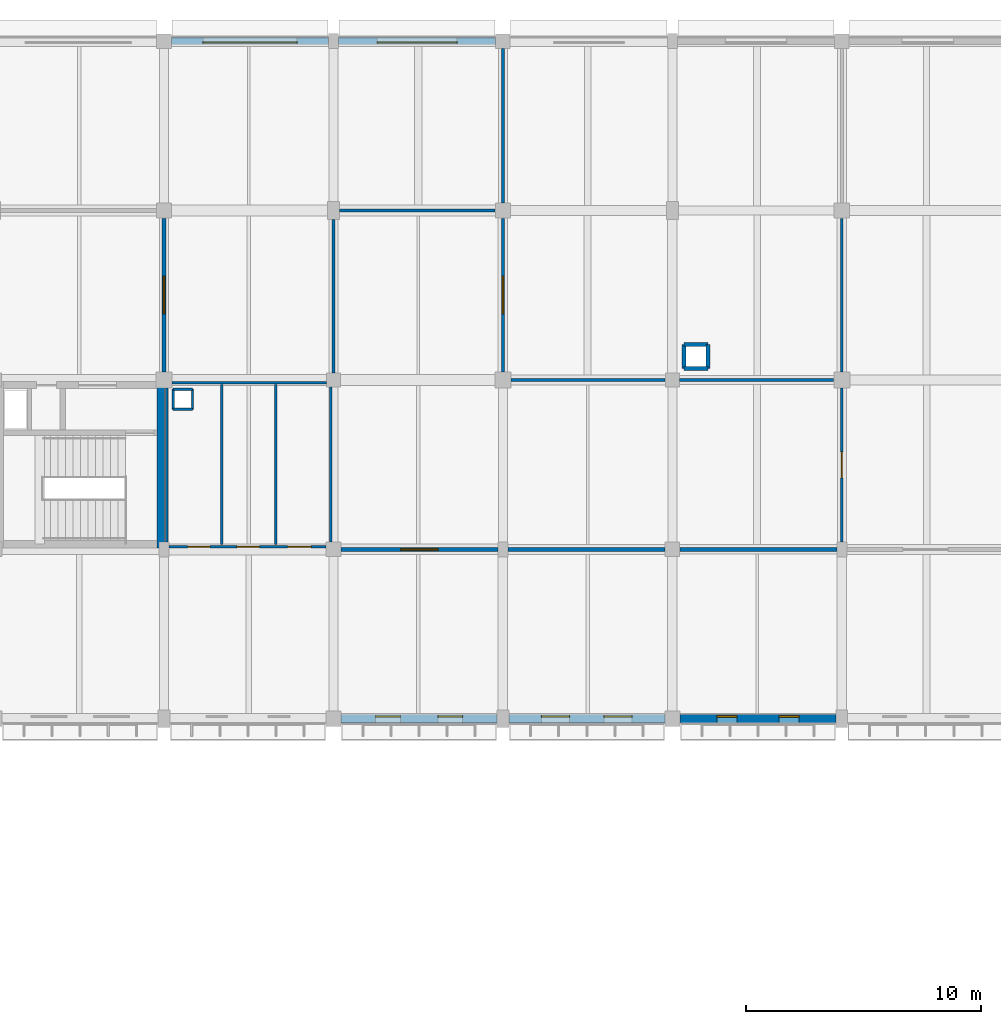
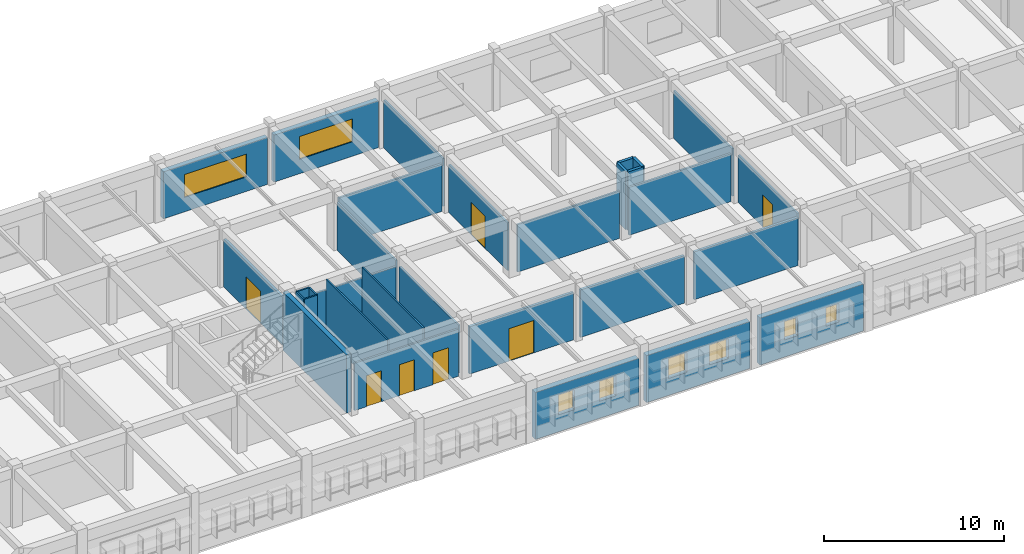
# One storey, part 89 of 103: 32 walls, 8 windows, 7 doors, 15 openings.
"""IFC4 building model written with IfcOpenShell, lengths in metres."""

from ifc_helpers import new_model, si_unit, direction, frame, frame_2d, origin, place, context, subcontext, project, spatial, rectangle, extrude, material, layer, layer_set, type_object, element, fill, save


model = new_model("IFC4")

# Units and contexts
model_context = context("Model", 3, precision=1e-05, world=origin(), true_north=direction((0.0, 1.0)))
body_context = subcontext(model_context, "Body", "Model", "MODEL_VIEW")
ifc_project = project(units=[si_unit("LENGTHUNIT", "METRE"), si_unit("AREAUNIT", "SQUARE_METRE"), si_unit("VOLUMEUNIT", "CUBIC_METRE"), si_unit("PLANEANGLEUNIT", "RADIAN"), si_unit("MASSUNIT", "GRAM", prefix="KILO")], contexts=[model_context])

# Site, building, storey
site_placement = place(None, origin())
site = spatial("IfcSite", under=ifc_project, at=site_placement, CompositionType="ELEMENT")
building_placement = place(site_placement, origin())
building = spatial("IfcBuilding", under=site, at=building_placement, Name="Thalmaran Polytechnic", CompositionType="ELEMENT")
storey_placement = place(building_placement, frame((0.0, 0.0, 14.39990234375)))
storey = spatial("IfcBuildingStorey", under=building, at=storey_placement, Name="L03", CompositionType="ELEMENT", Elevation=14.39990234375)

# Wall, openings, windows
ifc_material_1 = material(Name="Precast concrete C40/50", Category="concrete")
ifc_layer_1 = layer(ifc_material_1, 0.360107421875, Name="Precast concrete C40/50")
ifc_layer_set_1 = layer_set([ifc_layer_1], Name="Precast concrete C40/50")
wall_type_1 = type_object("IfcWallType", Name="WL-EW01", PredefinedType="STANDARD", material=ifc_layer_set_1)
wall_1_placement = place(storey_placement, frame((93.35009765625, 93.60009765625, 0.0), z_axis=(0.0, 0.0, 1.0), x_axis=(-1.0, 0.0, 0.0)))
wall_1 = element("IfcWall", 1, at=wall_1_placement, inside=storey, type_object=wall_type_1, Name="Exterior Precast Facade Wall L03-079", PredefinedType="STANDARD", context=body_context, shape_type="SweptSolid", body=[
    extrude(rectangle(XDim=6.625, YDim=0.360107421875, at=frame_2d((3.3125, 0.0))), origin(), (0.0, 0.0, 1.0), 3.18505859375),
])
opening_1_placement = place(wall_1_placement, frame((1.5625, 0.0, 1.14990234375)))
opening_1 = element("IfcOpeningElement", 2, at=opening_1_placement, cuts=wall_1, Name="Opening VW14", PredefinedType="OPENING", context=body_context, shape_type="SweptSolid", body=[
    extrude(rectangle(XDim=0.85009765625, YDim=1.25, at=frame_2d((0.425048828125, 0.625))), frame((0.0, 0.18994140625, 0.0), z_axis=(0.0, -1.0, 0.0), x_axis=(1.0, 0.0, 0.0)), (0.0, 0.0, 1.0), 0.380126953125),
])
opening_2_placement = place(wall_1_placement, frame((4.21240234375, 0.0, 1.14990234375)))
opening_2 = element("IfcOpeningElement", 3, at=opening_2_placement, cuts=wall_1, Name="Opening VW14", PredefinedType="OPENING", context=body_context, shape_type="SweptSolid", body=[
    extrude(rectangle(XDim=0.85009765625, YDim=1.25, at=frame_2d((0.425048828125, 0.625))), frame((0.0, 0.18994140625, 0.0), z_axis=(0.0, -1.0, 0.0), x_axis=(1.0, 0.0, 0.0)), (0.0, 0.0, 1.0), 0.380126953125),
])
ifc_material_2 = material(Name="Thermally broken aluminium and double low-E glass", Category="aluminium")
window_type_1 = type_object("IfcWindowType", Name="WN-VZ14", PartitioningType="SINGLE_PANEL", PredefinedType="WINDOW", material=ifc_material_2)
window_1_placement = place(opening_1_placement, origin())
window_1 = element("IfcWindow", 4, at=window_1_placement, inside=storey, type_object=window_type_1, Name="Deep-Set Solar-Screened Window W-0487", OverallHeight=1.25, OverallWidth=0.85009765625, PartitioningType="SINGLE_PANEL", PredefinedType="WINDOW", context=body_context, shape_type="SweptSolid", body=[
    extrude(rectangle(XDim=0.85009765625, YDim=1.25, at=frame_2d((0.425048828125, 0.625))), frame((0.0, -0.080078125, 0.0), z_axis=(0.0, -1.0, 0.0), x_axis=(1.0, 0.0, 0.0)), (0.0, 0.0, 1.0), 0.06005859375),
])
fill(opening_1, window_1)
window_2_placement = place(opening_2_placement, origin())
window_2 = element("IfcWindow", 5, at=window_2_placement, inside=storey, type_object=window_type_1, Name="Deep-Set Solar-Screened Window W-0488", OverallHeight=1.25, OverallWidth=0.85009765625, PartitioningType="SINGLE_PANEL", PredefinedType="WINDOW", context=body_context, shape_type="SweptSolid", body=[
    extrude(rectangle(XDim=0.85009765625, YDim=1.25, at=frame_2d((0.425048828125, 0.625))), frame((0.0, -0.080078125, 0.0), z_axis=(0.0, -1.0, 0.0), x_axis=(1.0, 0.0, 0.0)), (0.0, 0.0, 1.0), 0.06005859375),
])
fill(opening_2, window_2)

wall_2_placement = place(storey_placement, frame((86.074951171875, 93.60009765625, 0.0), z_axis=(0.0, 0.0, 1.0), x_axis=(-1.0, 0.0, 0.0)))
wall_2 = element("IfcWall", 6, at=wall_2_placement, inside=storey, type_object=wall_type_1, Name="Exterior Precast Facade Wall L03-080", PredefinedType="STANDARD", context=body_context, shape_type="SweptSolid", body=[
    extrude(rectangle(XDim=6.625, YDim=0.360107421875, at=frame_2d((3.3125, 0.0))), origin(), (0.0, 0.0, 1.0), 3.18505859375),
])
opening_3_placement = place(wall_2_placement, frame((1.387451171875, 0.0, 1.14990234375)))
opening_3 = element("IfcOpeningElement", 7, at=opening_3_placement, cuts=wall_2, Name="Opening PW11", PredefinedType="OPENING", context=body_context, shape_type="SweptSolid", body=[
    extrude(rectangle(XDim=1.199951171875, YDim=1.35009765625, at=frame_2d((0.60009765625, 0.675048828125))), frame((0.0, 0.18994140625, 0.0), z_axis=(0.0, -1.0, 0.0), x_axis=(1.0, 0.0, 0.0)), (0.0, 0.0, 1.0), 0.380126953125),
])
opening_4_placement = place(wall_2_placement, frame((4.03759765625, 0.0, 1.14990234375)))
opening_4 = element("IfcOpeningElement", 8, at=opening_4_placement, cuts=wall_2, Name="Opening PW11", PredefinedType="OPENING", context=body_context, shape_type="SweptSolid", body=[
    extrude(rectangle(XDim=1.199951171875, YDim=1.35009765625, at=frame_2d((0.60009765625, 0.675048828125))), frame((0.0, 0.18994140625, 0.0), z_axis=(0.0, -1.0, 0.0), x_axis=(1.0, 0.0, 0.0)), (0.0, 0.0, 1.0), 0.380126953125),
])
window_type_2 = type_object("IfcWindowType", Name="WN-PW01", PartitioningType="SINGLE_PANEL", PredefinedType="WINDOW", material=ifc_material_2)
window_3_placement = place(opening_3_placement, origin())
window_3 = element("IfcWindow", 9, at=window_3_placement, inside=storey, type_object=window_type_2, Name="Deep-Set Solar-Screened Window W-0489", OverallHeight=1.35009765625, OverallWidth=1.199951171875, PartitioningType="SINGLE_PANEL", PredefinedType="WINDOW", context=body_context, shape_type="SweptSolid", body=[
    extrude(rectangle(XDim=1.199951171875, YDim=1.35009765625, at=frame_2d((0.60009765625, 0.675048828125))), frame((0.0, -0.080078125, 0.0), z_axis=(0.0, -1.0, 0.0), x_axis=(1.0, 0.0, 0.0)), (0.0, 0.0, 1.0), 0.06005859375),
])
fill(opening_3, window_3)
window_4_placement = place(opening_4_placement, origin())
window_4 = element("IfcWindow", 10, at=window_4_placement, inside=storey, type_object=window_type_2, Name="Deep-Set Solar-Screened Window W-0490", OverallHeight=1.35009765625, OverallWidth=1.199951171875, PartitioningType="SINGLE_PANEL", PredefinedType="WINDOW", context=body_context, shape_type="SweptSolid", body=[
    extrude(rectangle(XDim=1.199951171875, YDim=1.35009765625, at=frame_2d((0.60009765625, 0.675048828125))), frame((0.0, -0.080078125, 0.0), z_axis=(0.0, -1.0, 0.0), x_axis=(1.0, 0.0, 0.0)), (0.0, 0.0, 1.0), 0.06005859375),
])
fill(opening_4, window_4)

wall_3_placement = place(storey_placement, frame((78.949951171875, 93.60009765625, 0.0), z_axis=(0.0, 0.0, 1.0), x_axis=(-1.0, 0.0, 0.0)))
wall_3 = element("IfcWall", 11, at=wall_3_placement, inside=storey, type_object=wall_type_1, Name="Exterior Precast Facade Wall L03-081", PredefinedType="STANDARD", context=body_context, shape_type="SweptSolid", body=[
    extrude(rectangle(XDim=6.625, YDim=0.360107421875, at=frame_2d((3.3125, 0.0))), origin(), (0.0, 0.0, 1.0), 3.18505859375),
])
opening_5_placement = place(wall_3_placement, frame((1.46240234375, 0.0, 1.14990234375)))
opening_5 = element("IfcOpeningElement", 12, at=opening_5_placement, cuts=wall_3, Name="Opening PW12", PredefinedType="OPENING", context=body_context, shape_type="SweptSolid", body=[
    extrude(rectangle(XDim=1.050048828125, YDim=1.35009765625, at=frame_2d((0.52490234375, 0.675048828125))), frame((0.0, 0.18994140625, 0.0), z_axis=(0.0, -1.0, 0.0), x_axis=(1.0, 0.0, 0.0)), (0.0, 0.0, 1.0), 0.380126953125),
])
opening_6_placement = place(wall_3_placement, frame((4.112548828125, 0.0, 1.14990234375)))
opening_6 = element("IfcOpeningElement", 13, at=opening_6_placement, cuts=wall_3, Name="Opening PW12", PredefinedType="OPENING", context=body_context, shape_type="SweptSolid", body=[
    extrude(rectangle(XDim=1.050048828125, YDim=1.35009765625, at=frame_2d((0.52490234375, 0.675048828125))), frame((0.0, 0.18994140625, 0.0), z_axis=(0.0, -1.0, 0.0), x_axis=(1.0, 0.0, 0.0)), (0.0, 0.0, 1.0), 0.380126953125),
])
window_type_3 = type_object("IfcWindowType", Name="WN-PW02", PartitioningType="SINGLE_PANEL", PredefinedType="WINDOW", material=ifc_material_2)
window_5_placement = place(opening_5_placement, origin())
window_5 = element("IfcWindow", 14, at=window_5_placement, inside=storey, type_object=window_type_3, Name="Deep-Set Solar-Screened Window W-0491", OverallHeight=1.35009765625, OverallWidth=1.050048828125, PartitioningType="SINGLE_PANEL", PredefinedType="WINDOW", context=body_context, shape_type="SweptSolid", body=[
    extrude(rectangle(XDim=1.050048828125, YDim=1.35009765625, at=frame_2d((0.52490234375, 0.675048828125))), frame((0.0, -0.080078125, 0.0), z_axis=(0.0, -1.0, 0.0), x_axis=(1.0, 0.0, 0.0)), (0.0, 0.0, 1.0), 0.06005859375),
])
fill(opening_5, window_5)
window_6_placement = place(opening_6_placement, origin())
window_6 = element("IfcWindow", 15, at=window_6_placement, inside=storey, type_object=window_type_3, Name="Deep-Set Solar-Screened Window W-0492", OverallHeight=1.35009765625, OverallWidth=1.050048828125, PartitioningType="SINGLE_PANEL", PredefinedType="WINDOW", context=body_context, shape_type="SweptSolid", body=[
    extrude(rectangle(XDim=1.050048828125, YDim=1.35009765625, at=frame_2d((0.52490234375, 0.675048828125))), frame((0.0, -0.080078125, 0.0), z_axis=(0.0, -1.0, 0.0), x_axis=(1.0, 0.0, 0.0)), (0.0, 0.0, 1.0), 0.06005859375),
])
fill(opening_6, window_6)

# Wall, opening, window
ifc_layer_2 = layer(ifc_material_1, 0.31005859375, Name="Precast concrete C40/50")
ifc_layer_set_2 = layer_set([ifc_layer_2], Name="Precast concrete C40/50")
wall_type_2 = type_object("IfcWallType", Name="WL-EW03", PredefinedType="STANDARD", material=ifc_layer_set_2)
wall_4_placement = place(storey_placement, frame((65.110107421875, 122.39990234375, 0.0), z_axis=(0.0, 0.0, 1.0), x_axis=(1.0, 0.0, 0.0)))
wall_4 = element("IfcWall", 16, at=wall_4_placement, inside=storey, type_object=wall_type_2, Name="Exterior Precast Facade Wall L03-065", PredefinedType="STANDARD", context=body_context, shape_type="SweptSolid", body=[
    extrude(rectangle(XDim=6.679931640625, YDim=0.31005859375, at=frame_2d((3.33984375, 0.0))), origin(), (0.0, 0.0, 1.0), 3.18505859375),
])
opening_7_placement = place(wall_4_placement, frame((1.340087890625, 0.0, 0.97998046875)))
opening_7 = element("IfcOpeningElement", 17, at=opening_7_placement, cuts=wall_4, Name="Opening VW02", PredefinedType="OPENING", context=body_context, shape_type="SweptSolid", body=[
    extrude(rectangle(XDim=4.0, YDim=1.550048828125, at=frame_2d((2.0, 0.77490234375))), frame((0.0, 0.1650390625, 0.0), z_axis=(0.0, -1.0, 0.0), x_axis=(1.0, 0.0, 0.0)), (0.0, 0.0, 1.0), 0.330078125),
])
window_type_4 = type_object("IfcWindowType", Name="WN-VZ02", PartitioningType="TRIPLE_PANEL_HORIZONTAL", PredefinedType="WINDOW", material=ifc_material_2)
window_7_placement = place(opening_7_placement, origin())
window_7 = element("IfcWindow", 18, at=window_7_placement, inside=storey, type_object=window_type_4, Name="Streamline Ribbon Window W-0470", OverallHeight=1.550048828125, OverallWidth=4.0, PartitioningType="SINGLE_PANEL", PredefinedType="WINDOW", context=body_context, shape_type="SweptSolid", body=[
    extrude(rectangle(XDim=4.0, YDim=1.550048828125, at=frame_2d((2.0, 0.77490234375))), frame((0.0, -0.030029296875, 0.0), z_axis=(0.0, -1.0, 0.0), x_axis=(1.0, 0.0, 0.0)), (0.0, 0.0, 1.0), 0.06005859375),
])
fill(opening_7, window_7)

wall_5_placement = place(storey_placement, frame((72.2099609375, 122.39990234375, 0.0), z_axis=(0.0, 0.0, 1.0), x_axis=(1.0, 0.0, 0.0)))
wall_5 = element("IfcWall", 19, at=wall_5_placement, inside=storey, type_object=wall_type_2, Name="Exterior Precast Facade Wall L03-066", PredefinedType="STANDARD", context=body_context, shape_type="SweptSolid", body=[
    extrude(rectangle(XDim=6.679931640625, YDim=0.31005859375, at=frame_2d((3.33984375, 0.0))), origin(), (0.0, 0.0, 1.0), 3.18505859375),
])
opening_8_placement = place(wall_5_placement, frame((1.639892578125, 0.0, 0.97998046875)))
opening_8 = element("IfcOpeningElement", 20, at=opening_8_placement, cuts=wall_5, Name="Opening VW03", PredefinedType="OPENING", context=body_context, shape_type="SweptSolid", body=[
    extrude(rectangle(XDim=3.39990234375, YDim=1.550048828125, at=frame_2d((1.699951171875, 0.77490234375))), frame((0.0, 0.1650390625, 0.0), z_axis=(0.0, -1.0, 0.0), x_axis=(1.0, 0.0, 0.0)), (0.0, 0.0, 1.0), 0.330078125),
])
window_type_5 = type_object("IfcWindowType", Name="WN-VZ03", PartitioningType="DOUBLE_PANEL_VERTICAL", PredefinedType="WINDOW", material=ifc_material_2)
window_8_placement = place(opening_8_placement, origin())
window_8 = element("IfcWindow", 21, at=window_8_placement, inside=storey, type_object=window_type_5, Name="Streamline Ribbon Window W-0471", OverallHeight=1.550048828125, OverallWidth=3.39990234375, PartitioningType="SINGLE_PANEL", PredefinedType="WINDOW", context=body_context, shape_type="SweptSolid", body=[
    extrude(rectangle(XDim=3.39990234375, YDim=1.550048828125, at=frame_2d((1.699951171875, 0.77490234375))), frame((0.0, -0.030029296875, 0.0), z_axis=(0.0, -1.0, 0.0), x_axis=(1.0, 0.0, 0.0)), (0.0, 0.0, 1.0), 0.06005859375),
])
fill(opening_8, window_8)

# Walls
ifc_material_3 = material(Name="Autoclaved aerated masonry", Category="masonry")
ifc_layer_3 = layer(ifc_material_3, 0.179931640625, Name="Autoclaved aerated masonry")
ifc_layer_set_3 = layer_set([ifc_layer_3], Name="Autoclaved aerated masonry")
wall_type_3 = type_object("IfcWallType", Name="WL-IW04", PredefinedType="PARTITIONING", material=ifc_layer_set_3)
for number, where, z_axis, x_axis, name in (
    (22, (86.889892578125, 108.489990234375, 0.0), (0.0, 0.0, 1.0), (1.0, 0.0, 0.0), "Fume Exhaust Riser Shaft Wall L03 (12,15)-S"),
    (23, (87.909912109375, 108.489990234375, 0.0), (0.0, 0.0, 1.0), (0.0, 1.0, 0.0), "Fume Exhaust Riser Shaft Wall L03 (12,15)-E"),
    (24, (87.909912109375, 109.510009765625, 0.0), (0.0, 0.0, 1.0), (-1.0, 0.0, 0.0), "Fume Exhaust Riser Shaft Wall L03 (12,15)-N"),
    (25, (86.889892578125, 109.510009765625, 0.0), (0.0, 0.0, 1.0), (0.0, -1.0, 0.0), "Fume Exhaust Riser Shaft Wall L03 (12,15)-W"),
):
    element("IfcWall", number, at=place(storey_placement, frame(where, z_axis=z_axis, x_axis=x_axis)), inside=storey, type_object=wall_type_3, Name=name, PredefinedType="PARTITIONING", context=body_context, shape_type="SweptSolid", body=[
        extrude(rectangle(XDim=1.02001953125, YDim=0.179931640625, at=frame_2d((0.510009765625, 0.0))), origin(), (0.0, 0.0, 1.0), 3.940185546875),
    ])

# Wall, opening, door
ifc_material_4 = material(Name="Gypsum acoustic partition")
ifc_layer_4 = layer(ifc_material_4, 0.159912109375, Name="Gypsum acoustic partition")
ifc_layer_set_4 = layer_set([ifc_layer_4], Name="Gypsum acoustic partition")
wall_type_4 = type_object("IfcWallType", Name="WL-IW05", PredefinedType="PARTITIONING", material=ifc_layer_set_4)
wall_6_placement = place(storey_placement, frame((64.800048828125, 108.344970703125, 0.0), z_axis=(0.0, 0.0, 1.0), x_axis=(0.0, 1.0, 0.0)))
wall_6 = element("IfcWall", 26, at=wall_6_placement, inside=storey, type_object=wall_type_4, Name="Interior Partition IW05 L03-045", PredefinedType="PARTITIONING", context=body_context, shape_type="SweptSolid", body=[
    extrude(rectangle(XDim=6.525146484375, YDim=0.159912109375, at=frame_2d((3.2626953125, 0.0))), origin(), (0.0, 0.0, 1.0), 3.2451171875),
])
opening_9_placement = place(wall_6_placement, frame((2.46240234375, 0.0, 0.0)))
opening_9 = element("IfcOpeningElement", 27, at=opening_9_placement, cuts=wall_6, Name="Opening D-L03-018-2-08-1", PredefinedType="OPENING", context=body_context, shape_type="SweptSolid", body=[
    extrude(rectangle(XDim=1.60009765625, YDim=2.199951171875, at=frame_2d((0.800048828125, 1.10009765625))), frame((0.0, 0.08984375, 0.0), z_axis=(0.0, -1.0, 0.0), x_axis=(1.0, 0.0, 0.0)), (0.0, 0.0, 1.0), 0.179931640625),
])
ifc_material_5 = material(Name="Powder-coated fire-rated steel", Category="steel")
door_type_1 = type_object("IfcDoorType", Name="DR-FD05", OperationType="NOTDEFINED", PredefinedType="DOOR", material=ifc_material_5)
door_1_placement = place(opening_9_placement, origin())
door_1 = element("IfcDoor", 28, at=door_1_placement, inside=storey, type_object=door_type_1, Name="Technical Reference Library Reading Room L03-08 Door 1", OperationType="DOUBLE_DOOR_SINGLE_SWING", OverallHeight=2.199951171875, OverallWidth=1.60009765625, PredefinedType="DOOR", context=body_context, shape_type="SweptSolid", body=[
    extrude(rectangle(XDim=1.60009765625, YDim=2.199951171875, at=frame_2d((0.800048828125, 1.10009765625))), frame((0.0, 0.02490234375, 0.0), z_axis=(0.0, -1.0, 0.0), x_axis=(1.0, 0.0, 0.0)), (0.0, 0.0, 1.0), 0.050048828125),
])
fill(opening_9, door_1)

wall_7_placement = place(storey_placement, frame((72.31494140625, 100.800048828125, 0.0), z_axis=(0.0, 0.0, 1.0), x_axis=(1.0, 0.0, 0.0)))
wall_7 = element("IfcWall", 29, at=wall_7_placement, inside=storey, type_object=wall_type_4, Name="Interior Partition IW05 L03-048", PredefinedType="PARTITIONING", context=body_context, shape_type="SweptSolid", body=[
    extrude(rectangle(XDim=6.670166015625, YDim=0.159912109375, at=frame_2d((3.3349609375, 0.0))), origin(), (0.0, 0.0, 1.0), 3.215087890625),
])
opening_10_placement = place(wall_7_placement, frame((2.534912109375, 0.0, 0.0)))
opening_10 = element("IfcOpeningElement", 30, at=opening_10_placement, cuts=wall_7, Name="Opening D-L03-013-2-04-1", PredefinedType="OPENING", context=body_context, shape_type="SweptSolid", body=[
    extrude(rectangle(XDim=1.60009765625, YDim=2.199951171875, at=frame_2d((0.800048828125, 1.10009765625))), frame((0.0, 0.08984375, 0.0), z_axis=(0.0, -1.0, 0.0), x_axis=(1.0, 0.0, 0.0)), (0.0, 0.0, 1.0), 0.179931640625),
])
door_2_placement = place(opening_10_placement, origin())
door_2 = element("IfcDoor", 31, at=door_2_placement, inside=storey, type_object=door_type_1, Name="Library Book Stacks L03-04 Door 1", OperationType="DOUBLE_DOOR_SINGLE_SWING", OverallHeight=2.199951171875, OverallWidth=1.60009765625, PredefinedType="DOOR", context=body_context, shape_type="SweptSolid", body=[
    extrude(rectangle(XDim=1.60009765625, YDim=2.199951171875, at=frame_2d((0.800048828125, 1.10009765625))), frame((0.0, 0.02490234375, 0.0), z_axis=(0.0, -1.0, 0.0), x_axis=(1.0, 0.0, 0.0)), (0.0, 0.0, 1.0), 0.050048828125),
])
fill(opening_10, door_2)

# Walls
wall_8_placement = place(storey_placement, frame((79.4150390625, 100.800048828125, 0.0), z_axis=(0.0, 0.0, 1.0), x_axis=(1.0, 0.0, 0.0)))
element("IfcWall", 32, at=wall_8_placement, inside=storey, type_object=wall_type_4, Name="Interior Partition IW05 L03-052", PredefinedType="PARTITIONING", context=body_context, shape_type="SweptSolid", body=[
    extrude(rectangle(XDim=6.669921875, YDim=0.159912109375, at=frame_2d((3.3349609375, 0.0))), origin(), (0.0, 0.0, 1.0), 3.22021484375),
])
wall_9_placement = place(storey_placement, frame((86.715087890625, 100.800048828125, 0.0), z_axis=(0.0, 0.0, 1.0), x_axis=(1.0, 0.0, 0.0)))
element("IfcWall", 33, at=wall_9_placement, inside=storey, type_object=wall_type_4, Name="Interior Partition IW05 L03-054", PredefinedType="PARTITIONING", context=body_context, shape_type="SweptSolid", body=[
    extrude(rectangle(XDim=6.669921875, YDim=0.159912109375, at=frame_2d((3.3349609375, 0.0))), origin(), (0.0, 0.0, 1.0), 3.239990234375),
])
ifc_layer_5 = layer(ifc_material_4, 0.1298828125, Name="Gypsum acoustic partition")
ifc_layer_set_5 = layer_set([ifc_layer_5], Name="Gypsum acoustic partition")
wall_type_5 = type_object("IfcWallType", Name="WL-IW07", PredefinedType="PARTITIONING", material=ifc_layer_set_5)
wall_10_placement = place(storey_placement, frame((72.2548828125, 115.199951171875, 0.0), z_axis=(0.0, 0.0, 1.0), x_axis=(1.0, 0.0, 0.0)))
element("IfcWall", 34, at=wall_10_placement, inside=storey, type_object=wall_type_5, Name="Interior Partition IW07 L03-050", PredefinedType="PARTITIONING", context=body_context, shape_type="SweptSolid", body=[
    extrude(rectangle(XDim=6.615234375, YDim=0.1298828125, at=frame_2d((3.3076171875, 0.0))), origin(), (0.0, 0.0, 1.0), 3.215087890625),
])
wall_11_placement = place(storey_placement, frame((86.705078125, 108.0, 0.0), z_axis=(0.0, 0.0, 1.0), x_axis=(1.0, 0.0, 0.0)))
element("IfcWall", 35, at=wall_11_placement, inside=storey, type_object=wall_type_5, Name="Interior Partition IW07 L03-056", PredefinedType="PARTITIONING", context=body_context, shape_type="SweptSolid", body=[
    extrude(rectangle(XDim=6.5498046875, YDim=0.1298828125, at=frame_2d((3.27490234375, 0.0))), origin(), (0.0, 0.0, 1.0), 3.239990234375),
])

# Wall, openings, doors
ifc_layer_6 = layer(ifc_material_4, 0.114990234375, Name="Gypsum acoustic partition")
ifc_layer_set_6 = layer_set([ifc_layer_6], Name="Gypsum acoustic partition")
wall_type_6 = type_object("IfcWallType", Name="WL-IW08", PredefinedType="PARTITIONING", material=ifc_layer_set_6)
wall_12_placement = place(storey_placement, frame((65.014892578125, 100.919921875, 0.0), z_axis=(0.0, 0.0, 1.0), x_axis=(1.0, 0.0, 0.0)))
wall_12 = element("IfcWall", 36, at=wall_12_placement, inside=storey, type_object=wall_type_6, Name="Sanitary Core Wall L03-W2-S", PredefinedType="PARTITIONING", context=body_context, shape_type="SweptSolid", body=[
    extrude(rectangle(XDim=6.670166015625, YDim=0.114990234375, at=frame_2d((3.3349609375, 0.0))), origin(), (0.0, 0.0, 1.0), 3.2001953125),
])
opening_11_placement = place(wall_12_placement, frame((0.784912109375, 0.0, 0.0)))
opening_11 = element("IfcOpeningElement", 37, at=opening_11_placement, cuts=wall_12, Name="Opening WD-L03-W2-1", PredefinedType="OPENING", context=body_context, shape_type="SweptSolid", body=[
    extrude(rectangle(XDim=0.949951171875, YDim=2.10009765625, at=frame_2d((0.47509765625, 1.050048828125))), frame((0.0, 0.0673828125, 0.0), z_axis=(0.0, -1.0, 0.0), x_axis=(1.0, 0.0, 0.0)), (0.0, 0.0, 1.0), 0.135009765625),
])
opening_12_placement = place(wall_12_placement, frame((2.885009765625, 0.0, 0.0)))
opening_12 = element("IfcOpeningElement", 38, at=opening_12_placement, cuts=wall_12, Name="Opening WD-L03-W2-2", PredefinedType="OPENING", context=body_context, shape_type="SweptSolid", body=[
    extrude(rectangle(XDim=0.949951171875, YDim=2.10009765625, at=frame_2d((0.47509765625, 1.050048828125))), frame((0.0, 0.0673828125, 0.0), z_axis=(0.0, -1.0, 0.0), x_axis=(1.0, 0.0, 0.0)), (0.0, 0.0, 1.0), 0.135009765625),
])
opening_13_placement = place(wall_12_placement, frame((5.034912109375, 0.0, 0.0)))
opening_13 = element("IfcOpeningElement", 39, at=opening_13_placement, cuts=wall_12, Name="Opening WD-L03-W2-3", PredefinedType="OPENING", context=body_context, shape_type="SweptSolid", body=[
    extrude(rectangle(XDim=1.0, YDim=2.14990234375, at=frame_2d((0.5, 1.074951171875))), frame((0.0, 0.0673828125, 0.0), z_axis=(0.0, -1.0, 0.0), x_axis=(1.0, 0.0, 0.0)), (0.0, 0.0, 1.0), 0.135009765625),
])
ifc_material_6 = material(Name="Acoustic hardwood", Category="wood")
door_type_2 = type_object("IfcDoorType", Name="DR-ID06", OperationType="NOTDEFINED", PredefinedType="DOOR", material=ifc_material_6)
door_3_placement = place(opening_13_placement, origin())
door_3 = element("IfcDoor", 40, at=door_3_placement, inside=storey, type_object=door_type_2, Name="Accessible WC Door L03-W2", OperationType="SINGLE_SWING_LEFT", OverallHeight=2.14990234375, OverallWidth=1.0, PredefinedType="DOOR", context=body_context, shape_type="SweptSolid", body=[
    extrude(rectangle(XDim=1.0, YDim=2.14990234375, at=frame_2d((0.5, 1.074951171875))), frame((0.0, 0.02490234375, 0.0), z_axis=(0.0, -1.0, 0.0), x_axis=(1.0, 0.0, 0.0)), (0.0, 0.0, 1.0), 0.050048828125),
])
fill(opening_13, door_3)
ifc_material_7 = material(Name="Moisture-resistant laminate timber", Category="wood")
door_type_3 = type_object("IfcDoorType", Name="DR-ID07", OperationType="NOTDEFINED", PredefinedType="DOOR", material=ifc_material_7)
door_4_placement = place(opening_11_placement, origin())
door_4 = element("IfcDoor", 41, at=door_4_placement, inside=storey, type_object=door_type_3, Name="Male WC Door L03-W2", OperationType="SINGLE_SWING_LEFT", OverallHeight=2.10009765625, OverallWidth=0.949951171875, PredefinedType="DOOR", context=body_context, shape_type="SweptSolid", body=[
    extrude(rectangle(XDim=0.949951171875, YDim=2.10009765625, at=frame_2d((0.47509765625, 1.050048828125))), frame((0.0, 0.02490234375, 0.0), z_axis=(0.0, -1.0, 0.0), x_axis=(1.0, 0.0, 0.0)), (0.0, 0.0, 1.0), 0.050048828125),
])
fill(opening_11, door_4)
door_5_placement = place(opening_12_placement, origin())
door_5 = element("IfcDoor", 42, at=door_5_placement, inside=storey, type_object=door_type_3, Name="Female WC Door L03-W2", OperationType="SINGLE_SWING_RIGHT", OverallHeight=2.10009765625, OverallWidth=0.949951171875, PredefinedType="DOOR", context=body_context, shape_type="SweptSolid", body=[
    extrude(rectangle(XDim=0.949951171875, YDim=2.10009765625, at=frame_2d((0.47509765625, 1.050048828125))), frame((0.0, 0.02490234375, 0.0), z_axis=(0.0, -1.0, 0.0), x_axis=(1.0, 0.0, 0.0)), (0.0, 0.0, 1.0), 0.050048828125),
])
fill(opening_12, door_5)

# Walls
wall_13_placement = place(storey_placement, frame((65.14501953125, 107.8798828125, 0.0), z_axis=(0.0, 0.0, 1.0), x_axis=(1.0, 0.0, 0.0)))
element("IfcWall", 43, at=wall_13_placement, inside=storey, type_object=wall_type_6, Name="Sanitary Core Wall L03-W2-N", PredefinedType="PARTITIONING", context=body_context, shape_type="SweptSolid", body=[
    extrude(rectangle(XDim=6.550048828125, YDim=0.114990234375, at=frame_2d((3.27490234375, 0.0))), origin(), (0.0, 0.0, 1.0), 3.2001953125),
])
wall_14_placement = place(storey_placement, frame((64.919921875, 101.125, 0.0), z_axis=(0.0, 0.0, 1.0), x_axis=(0.0, 1.0, 0.0)))
element("IfcWall", 44, at=wall_14_placement, inside=storey, type_object=wall_type_6, Name="Sanitary Side Wall L03-W2-W", PredefinedType="PARTITIONING", context=body_context, shape_type="SweptSolid", body=[
    extrude(rectangle(XDim=6.530029296875, YDim=0.114990234375, at=frame_2d((3.26513671875, 0.0))), origin(), (0.0, 0.0, 1.0), 3.25),
])
wall_15_placement = place(storey_placement, frame((71.8798828125, 101.114990234375, 0.0), z_axis=(0.0, 0.0, 1.0), x_axis=(0.0, 1.0, 0.0)))
element("IfcWall", 45, at=wall_15_placement, inside=storey, type_object=wall_type_6, Name="Sanitary Side Wall L03-W2-E", PredefinedType="PARTITIONING", context=body_context, shape_type="SweptSolid", body=[
    extrude(rectangle(XDim=6.580078125, YDim=0.114990234375, at=frame_2d((3.2900390625, 0.0))), origin(), (0.0, 0.0, 1.0), 3.25),
])
wall_16_placement = place(storey_placement, frame((72.0, 108.304931640625, 0.0), z_axis=(0.0, 0.0, 1.0), x_axis=(0.0, 1.0, 0.0)))
element("IfcWall", 46, at=wall_16_placement, inside=storey, type_object=wall_type_6, Name="Interior Partition IW08 L03-047", PredefinedType="PARTITIONING", context=body_context, shape_type="SweptSolid", body=[
    extrude(rectangle(XDim=6.51513671875, YDim=0.114990234375, at=frame_2d((3.257568359375, 0.0))), origin(), (0.0, 0.0, 1.0), 3.2451171875),
])

# Wall, opening, door
wall_17_placement = place(storey_placement, frame((79.199951171875, 108.344970703125, 0.0), z_axis=(0.0, 0.0, 1.0), x_axis=(0.0, 1.0, 0.0)))
wall_17 = element("IfcWall", 47, at=wall_17_placement, inside=storey, type_object=wall_type_6, Name="Interior Partition IW08 L03-049", PredefinedType="PARTITIONING", context=body_context, shape_type="SweptSolid", body=[
    extrude(rectangle(XDim=6.525146484375, YDim=0.114990234375, at=frame_2d((3.2626953125, 0.0))), origin(), (0.0, 0.0, 1.0), 3.2451171875),
])
opening_14_placement = place(wall_17_placement, frame((2.46240234375, 0.0, 0.0)))
opening_14 = element("IfcOpeningElement", 48, at=opening_14_placement, cuts=wall_17, Name="Opening D-L03-019-2-09-1", PredefinedType="OPENING", context=body_context, shape_type="SweptSolid", body=[
    extrude(rectangle(XDim=1.60009765625, YDim=2.199951171875, at=frame_2d((0.800048828125, 1.10009765625))), frame((0.0, 0.0673828125, 0.0), z_axis=(0.0, -1.0, 0.0), x_axis=(1.0, 0.0, 0.0)), (0.0, 0.0, 1.0), 0.135009765625),
])
door_6_placement = place(opening_14_placement, origin())
door_6 = element("IfcDoor", 49, at=door_6_placement, inside=storey, type_object=door_type_1, Name="Polytechnic Library Reading Hall L03-09 Door 1", OperationType="DOUBLE_DOOR_SINGLE_SWING", OverallHeight=2.199951171875, OverallWidth=1.60009765625, PredefinedType="DOOR", context=body_context, shape_type="SweptSolid", body=[
    extrude(rectangle(XDim=1.60009765625, YDim=2.199951171875, at=frame_2d((0.800048828125, 1.10009765625))), frame((0.0, 0.02490234375, 0.0), z_axis=(0.0, -1.0, 0.0), x_axis=(1.0, 0.0, 0.0)), (0.0, 0.0, 1.0), 0.050048828125),
])
fill(opening_14, door_6)

# Walls
wall_18_placement = place(storey_placement, frame((79.199951171875, 115.530029296875, 0.0), z_axis=(0.0, 0.0, 1.0), x_axis=(0.0, 1.0, 0.0)))
element("IfcWall", 50, at=wall_18_placement, inside=storey, type_object=wall_type_6, Name="Interior Partition IW08 L03-051", PredefinedType="PARTITIONING", context=body_context, shape_type="SweptSolid", body=[
    extrude(rectangle(XDim=6.554931640625, YDim=0.114990234375, at=frame_2d((3.27734375, 0.0))), origin(), (0.0, 0.0, 1.0), 3.2451171875),
])
wall_19_placement = place(storey_placement, frame((79.544921875, 108.0, 0.0), z_axis=(0.0, 0.0, 1.0), x_axis=(1.0, 0.0, 0.0)))
element("IfcWall", 51, at=wall_19_placement, inside=storey, type_object=wall_type_6, Name="Interior Partition IW08 L03-053", PredefinedType="PARTITIONING", context=body_context, shape_type="SweptSolid", body=[
    extrude(rectangle(XDim=6.550048828125, YDim=0.114990234375, at=frame_2d((3.27490234375, 0.0))), origin(), (0.0, 0.0, 1.0), 3.22021484375),
])

# Wall, opening, door
wall_20_placement = place(storey_placement, frame((93.60009765625, 101.125, 0.0), z_axis=(0.0, 0.0, 1.0), x_axis=(0.0, 1.0, 0.0)))
wall_20 = element("IfcWall", 52, at=wall_20_placement, inside=storey, type_object=wall_type_6, Name="Interior Partition IW08 L03-055", PredefinedType="PARTITIONING", context=body_context, shape_type="SweptSolid", body=[
    extrude(rectangle(XDim=6.530029296875, YDim=0.114990234375, at=frame_2d((3.26513671875, 0.0))), origin(), (0.0, 0.0, 1.0), 3.22509765625),
])
opening_15_placement = place(wall_20_placement, frame((2.715087890625, 0.0, 0.0)))
opening_15 = element("IfcOpeningElement", 53, at=opening_15_placement, cuts=wall_20, Name="Opening D-L03-014-2-05-1", PredefinedType="OPENING", context=body_context, shape_type="SweptSolid", body=[
    extrude(rectangle(XDim=1.10009765625, YDim=2.14990234375, at=frame_2d((0.550048828125, 1.074951171875))), frame((0.0, 0.0673828125, 0.0), z_axis=(0.0, -1.0, 0.0), x_axis=(1.0, 0.0, 0.0)), (0.0, 0.0, 1.0), 0.135009765625),
])
door_type_4 = type_object("IfcDoorType", Name="DR-FD07", OperationType="NOTDEFINED", PredefinedType="DOOR", material=ifc_material_5)
door_7_placement = place(opening_15_placement, origin())
door_7 = element("IfcDoor", 54, at=door_7_placement, inside=storey, type_object=door_type_4, Name="Digital Learning Commons L03-05 Door 1", OperationType="SINGLE_SWING_LEFT", OverallHeight=2.14990234375, OverallWidth=1.10009765625, PredefinedType="DOOR", context=body_context, shape_type="SweptSolid", body=[
    extrude(rectangle(XDim=1.10009765625, YDim=2.14990234375, at=frame_2d((0.550048828125, 1.074951171875))), frame((0.0, 0.02490234375, 0.0), z_axis=(0.0, -1.0, 0.0), x_axis=(1.0, 0.0, 0.0)), (0.0, 0.0, 1.0), 0.050048828125),
])
fill(opening_15, door_7)

# Walls
wall_21_placement = place(storey_placement, frame((93.60009765625, 108.344970703125, 0.0), z_axis=(0.0, 0.0, 1.0), x_axis=(0.0, 1.0, 0.0)))
element("IfcWall", 55, at=wall_21_placement, inside=storey, type_object=wall_type_6, Name="Interior Partition IW08 L03-057", PredefinedType="PARTITIONING", context=body_context, shape_type="SweptSolid", body=[
    extrude(rectangle(XDim=6.525146484375, YDim=0.114990234375, at=frame_2d((3.2626953125, 0.0))), origin(), (0.0, 0.0, 1.0), 3.22021484375),
])
ifc_material_8 = material(Name="Moisture-resistant partition")
ifc_layer_7 = layer(ifc_material_8, 0.10009765625, Name="Moisture-resistant partition")
ifc_layer_set_7 = layer_set([ifc_layer_7], Name="Moisture-resistant partition")
wall_type_7 = type_object("IfcWallType", Name="WL-IW09", PredefinedType="PARTITIONING", material=ifc_layer_set_7)
for number, where, z_axis, x_axis, name in (
    (56, (67.25, 101.0, 0.0), (0.0, 0.0, 1.0), (0.0, 1.0, 0.0), "WC Partition L03-W2-1"),
    (57, (69.550048828125, 101.0, 0.0), (0.0, 0.0, 1.0), (0.0, 1.0, 0.0), "WC Partition L03-W2-2"),
):
    element("IfcWall", number, at=place(storey_placement, frame(where, z_axis=z_axis, x_axis=x_axis)), inside=storey, type_object=wall_type_7, Name=name, PredefinedType="PARTITIONING", context=body_context, shape_type="SweptSolid", body=[
        extrude(rectangle(XDim=6.800048828125, YDim=0.10009765625, at=frame_2d((3.39990234375, 0.0))), origin(), (0.0, 0.0, 1.0), 3.940185546875),
    ])
wall_22_placement = place(storey_placement, frame((65.18994140625, 106.75, 0.0), z_axis=(0.0, 0.0, 1.0), x_axis=(1.0, 0.0, 0.0)))
element("IfcWall", 58, at=wall_22_placement, inside=storey, type_object=wall_type_7, Name="Plumbing Riser Chase Wall L03-W2-S", PredefinedType="PARTITIONING", context=body_context, shape_type="SweptSolid", body=[
    extrude(rectangle(XDim=0.820068359375, YDim=0.10009765625, at=frame_2d((0.41015625, 0.0))), origin(), (0.0, 0.0, 1.0), 3.940185546875),
])
wall_23_placement = place(storey_placement, frame((66.010009765625, 106.75, 0.0), z_axis=(0.0, 0.0, 1.0), x_axis=(0.0, 1.0, 0.0)))
element("IfcWall", 59, at=wall_23_placement, inside=storey, type_object=wall_type_7, Name="Plumbing Riser Chase Wall L03-W2-E", PredefinedType="PARTITIONING", context=body_context, shape_type="SweptSolid", body=[
    extrude(rectangle(XDim=0.860107421875, YDim=0.10009765625, at=frame_2d((0.43017578125, 0.0))), origin(), (0.0, 0.0, 1.0), 3.940185546875),
])
wall_24_placement = place(storey_placement, frame((66.010009765625, 107.610107421875, 0.0), z_axis=(0.0, 0.0, 1.0), x_axis=(-1.0, 0.0, 0.0)))
element("IfcWall", 60, at=wall_24_placement, inside=storey, type_object=wall_type_7, Name="Plumbing Riser Chase Wall L03-W2-N", PredefinedType="PARTITIONING", context=body_context, shape_type="SweptSolid", body=[
    extrude(rectangle(XDim=0.820068359375, YDim=0.10009765625, at=frame_2d((0.41015625, 0.0))), origin(), (0.0, 0.0, 1.0), 3.940185546875),
])
wall_25_placement = place(storey_placement, frame((65.18994140625, 107.610107421875, 0.0), z_axis=(0.0, 0.0, 1.0), x_axis=(0.0, -1.0, 0.0)))
element("IfcWall", 61, at=wall_25_placement, inside=storey, type_object=wall_type_7, Name="Plumbing Riser Chase Wall L03-W2-W", PredefinedType="PARTITIONING", context=body_context, shape_type="SweptSolid", body=[
    extrude(rectangle(XDim=0.860107421875, YDim=0.10009765625, at=frame_2d((0.43017578125, 0.0))), origin(), (0.0, 0.0, 1.0), 3.940185546875),
])
ifc_material_9 = material(Name="Concrete C50/60", Category="concrete")
ifc_layer_8 = layer(ifc_material_9, 0.300048828125, Name="Concrete C50/60")
ifc_layer_set_8 = layer_set([ifc_layer_8], Name="Concrete C50/60")
wall_type_8 = type_object("IfcWallType", Name="WL-SW04", PredefinedType="SHEAR", material=ifc_layer_set_8)
wall_26_placement = place(storey_placement, frame((64.659912109375, 100.8701171875, 0.0), z_axis=(0.0, 0.0, 1.0), x_axis=(0.0, 1.0, 0.0)))
element("IfcWall", 62, at=wall_26_placement, inside=storey, type_object=wall_type_8, Name="Core C6 East Shear Wall L03", PredefinedType="SHEAR", context=body_context, shape_type="SweptSolid", body=[
    extrude(rectangle(XDim=7.059814453125, YDim=0.300048828125, at=frame_2d((3.52978515625, 0.0))), origin(), (0.0, 0.0, 1.0), 3.940185546875),
])

save(model, "model.ifc")
